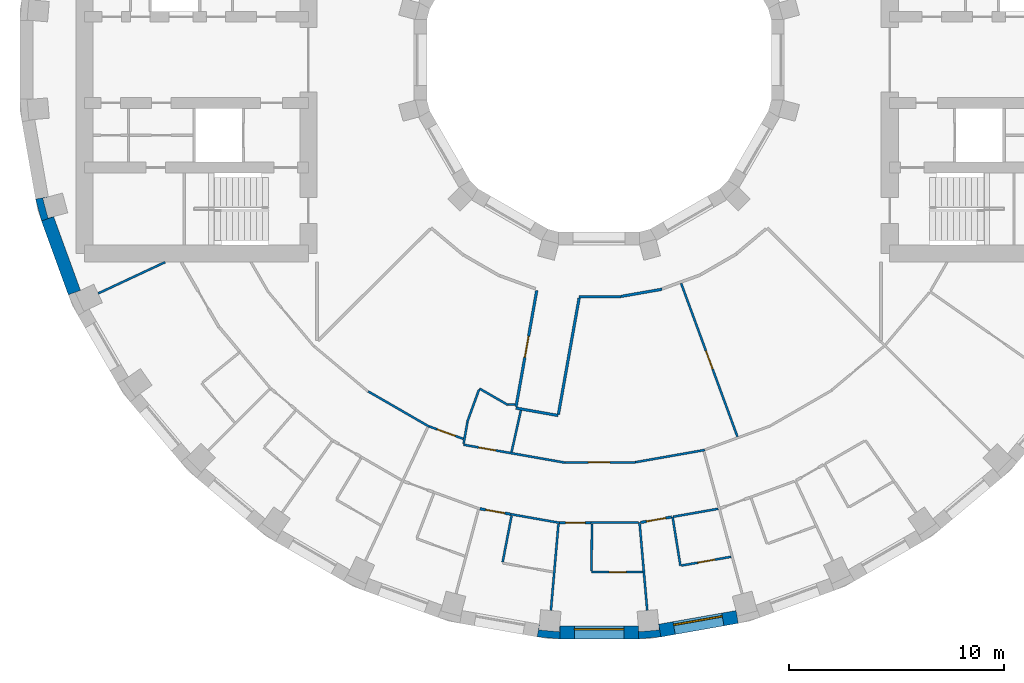
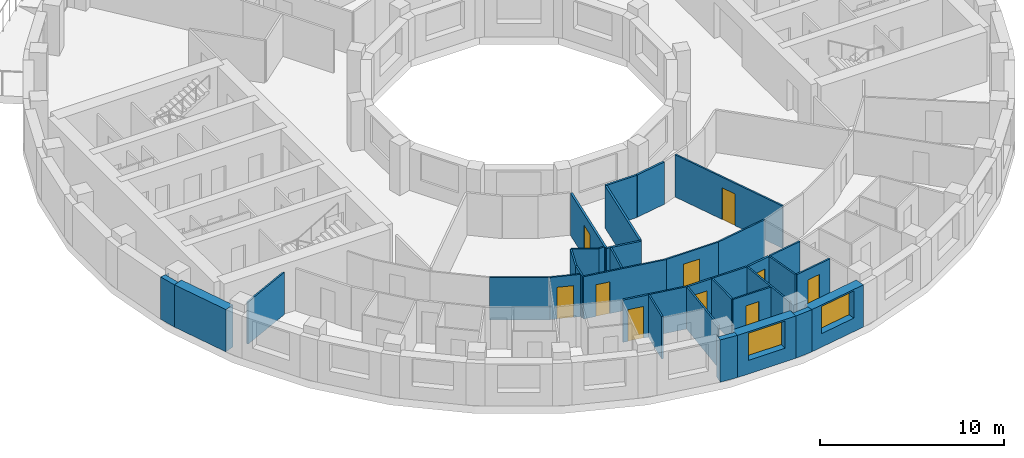
# One storey, part 5 of 14: 36 walls, 10 doors, 2 windows, 12 openings.
"""IFC4 building model written with IfcOpenShell, lengths in metres."""

from ifc_helpers import new_model, si_unit, direction, frame, frame_2d, origin, place, context, subcontext, project, spatial, polyline, rectangle, outline, extrude, material, layer, layer_set, type_object, element, fill, save


model = new_model("IFC4")

# Units and contexts
model_context = context("Model", 3, precision=1e-05, world=origin(), true_north=direction((0.0, 1.0)))
body_context = subcontext(model_context, "Body", "Model", "MODEL_VIEW")
ifc_project = project(units=[si_unit("LENGTHUNIT", "METRE"), si_unit("AREAUNIT", "SQUARE_METRE"), si_unit("VOLUMEUNIT", "CUBIC_METRE"), si_unit("PLANEANGLEUNIT", "RADIAN"), si_unit("MASSUNIT", "GRAM", prefix="KILO")], contexts=[model_context])

# Site, building, storey
site_placement = place(None, origin())
site = spatial("IfcSite", under=ifc_project, at=site_placement, CompositionType="ELEMENT")
building_placement = place(site_placement, origin())
building = spatial("IfcBuilding", under=site, at=building_placement, Name="Saqina Gate Tower", CompositionType="ELEMENT")
storey_placement = place(building_placement, frame((0.0, 0.0, 95.199951171875)))
storey = spatial("IfcBuildingStorey", under=building, at=storey_placement, Name="L26", CompositionType="ELEMENT", Elevation=95.199951171875)

# Walls
ifc_material_1 = material(Name="Brick masonry (buff)", Category="masonry")
wall_type_1 = type_object("IfcWallType", Name="BRICK PIER COPING BUFF", PredefinedType="SOLIDWALL", material=ifc_material_1)
wall_1_placement = place(storey_placement, origin())
element("IfcWall", 1, at=wall_1_placement, inside=storey, type_object=wall_type_1, Name="Pier cap L26 column 20", PredefinedType="SOLIDWALL", context=body_context, shape_type="SweptSolid", body=[
    extrude(outline(polyline([(-26.171875, -6.466796875), (-25.89892578125, -7.485595703125), (-25.335205078125, -7.2802734375), (-25.5947265625, -7.349853515625), (-25.8408203125, -6.43212890625), (-25.5810546875, -6.36279296875), (-26.171875, -6.466796875)])), origin(), (0.0, 0.0, 1.0), 2.800048828125),
])
wall_2_placement = place(storey_placement, origin())
element("IfcWall", 2, at=wall_2_placement, inside=storey, type_object=wall_type_1, Name="Pier cap L26 column 27", PredefinedType="SOLIDWALL", context=body_context, shape_type="SweptSolid", body=[
    extrude(outline(polyline([(-2.87451171875, -26.805419921875), (-1.823974609375, -26.897216796875), (-1.823974609375, -26.29736328125), (-1.847412109375, -26.565185546875), (-2.793701171875, -26.482421875), (-2.770263671875, -26.214599609375), (-2.87451171875, -26.805419921875)])), origin(), (0.0, 0.0, 1.0), 2.800048828125),
])
wall_3_placement = place(storey_placement, origin())
element("IfcWall", 3, at=wall_3_placement, inside=storey, type_object=wall_type_1, Name="Pier cap L26 column 28", PredefinedType="SOLIDWALL", context=body_context, shape_type="SweptSolid", body=[
    extrude(outline(polyline([(2.87451171875, -26.805419921875), (2.770263671875, -26.214599609375), (2.793701171875, -26.482421875), (1.847412109375, -26.565185546875), (1.823974609375, -26.29736328125), (1.823974609375, -26.897216796875), (2.87451171875, -26.805419921875)])), origin(), (0.0, 0.0, 1.0), 2.800048828125),
])

# Wall, opening, window
ifc_material_2 = material(Name="Brick masonry (buff)", Category="masonry")
ifc_layer_1 = layer(ifc_material_2, 0.60009765625)
ifc_layer_set_1 = layer_set([ifc_layer_1], Name="FW-BRICK-BUFF")
wall_type_2 = type_object("IfcWallType", Name="FW-BRICK-BUFF", PredefinedType="SOLIDWALL", material=ifc_layer_set_1)
wall_4_placement = place(storey_placement, frame((-1.823974609375, -26.59716796875, 0.0), z_axis=(0.0, 0.0, 1.0), x_axis=(1.0, 0.0, 0.0)))
wall_4 = element("IfcWall", 4, at=wall_4_placement, inside=storey, type_object=wall_type_2, Name="Facade wall L26 facet 27", PredefinedType="SOLIDWALL", context=body_context, shape_type="SweptSolid", body=[
    extrude(rectangle(XDim=3.64794921875, YDim=0.60009765625, at=frame_2d((1.823974609375, 0.0))), origin(), (0.0, 0.0, 1.0), 2.800048828125),
])
opening_1_placement = place(wall_4_placement, frame((0.673828125, 0.0, 0.89990234375)))
opening_1 = element("IfcOpeningElement", 5, at=opening_1_placement, cuts=wall_4, Name="Opening G07-W16", PredefinedType="OPENING", context=body_context, shape_type="SweptSolid", body=[
    extrude(rectangle(XDim=2.300048828125, YDim=1.800048828125, at=frame_2d((1.14990234375, 0.89990234375))), frame((0.0, 0.31201171875, 0.0), z_axis=(0.0, -1.0, 0.0), x_axis=(1.0, 0.0, 0.0)), (0.0, 0.0, 1.0), 0.6240234375),
])
ifc_material_3 = material(Name="Aluminium glazing", Category="aluminium")
window_type = type_object("IfcWindowType", Name="WN-B", PartitioningType="SINGLE_PANEL", PredefinedType="WINDOW", material=ifc_material_3)
window_1_placement = place(opening_1_placement, origin())
window_1 = element("IfcWindow", 6, at=window_1_placement, inside=storey, type_object=window_type, Name="Window L26 facet 27", OverallHeight=1.800048828125, OverallWidth=2.300048828125, PartitioningType="SINGLE_PANEL", PredefinedType="WINDOW", context=body_context, shape_type="SweptSolid", body=[
    extrude(rectangle(XDim=2.300048828125, YDim=1.800048828125, at=frame_2d((1.14990234375, 0.89990234375))), frame((0.0, 0.179931640625, 0.0), z_axis=(0.0, -1.0, 0.0), x_axis=(1.0, 0.0, 0.0)), (0.0, 0.0, 1.0), 0.06005859375),
])
fill(opening_1, window_1)

wall_5_placement = place(storey_placement, frame((2.822265625, -26.510009765625, 0.0), z_axis=(0.0, 0.0, 1.0), x_axis=(0.984803764455, 0.173670796382, 0.0)))
wall_5 = element("IfcWall", 7, at=wall_5_placement, inside=storey, type_object=wall_type_2, Name="Facade wall L26 facet 28", PredefinedType="SOLIDWALL", context=body_context, shape_type="SweptSolid", body=[
    extrude(rectangle(XDim=3.64794921875, YDim=0.60009765625, at=frame_2d((1.823974609375, 0.0))), origin(), (0.0, 0.0, 1.0), 2.800048828125),
])
opening_2_placement = place(wall_5_placement, frame((0.673828125, 0.0, 0.89990234375)))
opening_2 = element("IfcOpeningElement", 8, at=opening_2_placement, cuts=wall_5, Name="Opening G07-W17", PredefinedType="OPENING", context=body_context, shape_type="SweptSolid", body=[
    extrude(rectangle(XDim=2.300048828125, YDim=1.800048828125, at=frame_2d((1.14990234375, 0.89990234375))), frame((0.0, 0.31201171875, 0.0), z_axis=(0.0, -1.0, 0.0), x_axis=(1.0, 0.0, 0.0)), (0.0, 0.0, 1.0), 0.6240234375),
])
window_2_placement = place(opening_2_placement, origin())
window_2 = element("IfcWindow", 9, at=window_2_placement, inside=storey, type_object=window_type, Name="Window L26 facet 28", OverallHeight=1.800048828125, OverallWidth=2.300048828125, PartitioningType="SINGLE_PANEL", PredefinedType="WINDOW", context=body_context, shape_type="SweptSolid", body=[
    extrude(rectangle(XDim=2.300048828125, YDim=1.800048828125, at=frame_2d((1.14990234375, 0.89990234375))), frame((0.0, 0.179931640625, 0.0), z_axis=(0.0, -1.0, 0.0), x_axis=(1.0, 0.0, 0.0)), (0.0, 0.0, 1.0), 0.06005859375),
])
fill(opening_2, window_2)

# Walls
ifc_material_4 = material(Name="Glazed ceramic tile (dark blue)", Category="ceramic")
ifc_layer_2 = layer(ifc_material_4, 0.60009765625)
ifc_layer_set_2 = layer_set([ifc_layer_2], Name="FW-TILE-CB")
wall_type_3 = type_object("IfcWallType", Name="FW-TILE-CB", PredefinedType="SOLIDWALL", material=ifc_layer_set_2)
wall_6_placement = place(storey_placement, frame((-25.616943359375, -7.3828125, 0.0), z_axis=(0.0, 0.0, 1.0), x_axis=(0.341990236633, -0.939703505393, 0.0)))
element("IfcWall", 10, at=wall_6_placement, inside=storey, type_object=wall_type_3, Name="Facade wall L26 facet 20", PredefinedType="SOLIDWALL", context=body_context, shape_type="SweptSolid", body=[
    extrude(rectangle(XDim=3.64794921875, YDim=0.60009765625, at=frame_2d((1.823974609375, 0.0))), origin(), (0.0, 0.0, 1.0), 2.800048828125),
])
ifc_material_5 = material(Name="Gypsum board on steel studs, 100 mm", Category="steel")
ifc_layer_3 = layer(ifc_material_5, 0.10009765625)
ifc_layer_set_3 = layer_set([ifc_layer_3], Name="PARTITION 100")
wall_type_4 = type_object("IfcWallType", Name="PARTITION 100", PredefinedType="PARTITIONING", material=ifc_layer_set_3)
wall_7_placement = place(storey_placement, frame((1.881103515625, -21.4970703125, 0.0), z_axis=(0.0, 0.0, 1.0), x_axis=(0.087060211484, -0.996203051379, 0.0)))
element("IfcWall", 11, at=wall_7_placement, inside=storey, type_object=wall_type_4, Name="PARTITION PW3-02", PredefinedType="PARTITIONING", context=body_context, shape_type="SweptSolid", body=[
    extrude(rectangle(XDim=4.0859375, YDim=0.10009765625, at=frame_2d((2.04296875, 0.0))), origin(), (0.0, 0.0, 1.0), 2.800048828125),
])
wall_8_placement = place(storey_placement, frame((3.4140625, -21.22705078125, 0.0), z_axis=(0.0, 0.0, 1.0), x_axis=(0.15868179071, -0.987329777378, 0.0)))
element("IfcWall", 12, at=wall_8_placement, inside=storey, type_object=wall_type_4, Name="PARTITION PW3-03", PredefinedType="PARTITIONING", context=body_context, shape_type="SweptSolid", body=[
    extrude(rectangle(XDim=2.300048828125, YDim=0.10009765625, at=frame_2d((1.14990234375, 0.0))), origin(), (0.0, 0.0, 1.0), 2.800048828125),
])

# Wall, opening, door
wall_9_placement = place(storey_placement, frame((3.813232421875, -10.384521484375, 0.0), z_axis=(0.0, 0.0, 1.0), x_axis=(0.344746287393, -0.938695902478, 0.0)))
wall_9 = element("IfcWall", 13, at=wall_9_placement, inside=storey, type_object=wall_type_4, Name="PARTITION PW3-07", PredefinedType="PARTITIONING", context=body_context, shape_type="SweptSolid", body=[
    extrude(rectangle(XDim=7.586669921875, YDim=0.10009765625, at=frame_2d((3.79345703125, 0.0))), origin(), (0.0, 0.0, 1.0), 2.800048828125),
])
opening_3_placement = place(wall_9_placement, frame((3.336181640625, 0.0, 0.0)))
opening_3 = element("IfcOpeningElement", 14, at=opening_3_placement, cuts=wall_9, Name="Opening G07-D44", PredefinedType="OPENING", context=body_context, shape_type="SweptSolid", body=[
    extrude(rectangle(XDim=0.89990234375, YDim=2.10009765625, at=frame_2d((0.449951171875, 1.050048828125))), frame((0.0, 0.06201171875, 0.0), z_axis=(0.0, -1.0, 0.0), x_axis=(1.0, 0.0, 0.0)), (0.0, 0.0, 1.0), 0.1240234375),
])
ifc_material_6 = material(Name="Timber door leaf, 900 mm", Category="wood")
door_type_1 = type_object("IfcDoorType", Name="DOOR 900 TIMBER", OperationType="SINGLE_SWING_LEFT", PredefinedType="DOOR", material=ifc_material_6)
door_1_placement = place(opening_3_placement, origin())
door_1 = element("IfcDoor", 15, at=door_1_placement, inside=storey, type_object=door_type_1, Name="DOOR G07-D44", OperationType="SINGLE_SWING_LEFT", OverallHeight=2.10009765625, OverallWidth=0.89990234375, PredefinedType="DOOR", context=body_context, shape_type="SweptSolid", body=[
    extrude(rectangle(XDim=0.89990234375, YDim=2.10009765625, at=frame_2d((0.449951171875, 1.050048828125))), frame((0.0, 0.02490234375, 0.0), z_axis=(0.0, -1.0, 0.0), x_axis=(1.0, 0.0, 0.0)), (0.0, 0.0, 1.0), 0.050048828125),
])
fill(opening_3, door_1)

# Walls
wall_10_placement = place(storey_placement, frame((-10.72265625, -15.401123046875, 0.0), z_axis=(0.0, 0.0, 1.0), x_axis=(0.866002935623, -0.500038913978, 0.0)))
element("IfcWall", 16, at=wall_10_placement, inside=storey, type_object=wall_type_4, Name="PARTITION PW3-32", PredefinedType="PARTITIONING", context=body_context, shape_type="SweptSolid", body=[
    extrude(rectangle(XDim=3.272216796875, YDim=0.10009765625, at=frame_2d((1.63623046875, 0.0))), origin(), (0.0, 0.0, 1.0), 2.800048828125),
])
wall_11_placement = place(storey_placement, frame((-5.556884765625, -15.26708984375, 0.0), z_axis=(0.0, 0.0, 1.0), x_axis=(0.866084140742, -0.499898250802, 0.0)))
element("IfcWall", 17, at=wall_11_placement, inside=storey, type_object=wall_type_4, Name="PARTITION PW3-33", PredefinedType="PARTITIONING", context=body_context, shape_type="SweptSolid", body=[
    extrude(rectangle(XDim=1.522705078125, YDim=0.10009765625, at=frame_2d((0.76123046875, 0.0))), origin(), (0.0, 0.0, 1.0), 2.800048828125),
])

# Wall, opening, door
wall_12_placement = place(storey_placement, frame((-7.885986328125, -17.029052734375, 0.0), z_axis=(0.0, 0.0, 1.0), x_axis=(0.939806110693, -0.341708171258, 0.0)))
wall_12 = element("IfcWall", 18, at=wall_12_placement, inside=storey, type_object=wall_type_4, Name="PARTITION PW3-38", PredefinedType="PARTITIONING", context=body_context, shape_type="SweptSolid", body=[
    extrude(rectangle(XDim=1.685546875, YDim=0.10009765625, at=frame_2d((0.8427734375, 0.0))), origin(), (0.0, 0.0, 1.0), 2.800048828125),
])
opening_4_placement = place(wall_12_placement, frame((0.392578125, 0.0, 0.0)))
opening_4 = element("IfcOpeningElement", 19, at=opening_4_placement, cuts=wall_12, Name="Opening G07-D32", PredefinedType="OPENING", context=body_context, shape_type="SweptSolid", body=[
    extrude(rectangle(XDim=0.89990234375, YDim=2.10009765625, at=frame_2d((0.449951171875, 1.050048828125))), frame((0.0, 0.06201171875, 0.0), z_axis=(0.0, -1.0, 0.0), x_axis=(1.0, 0.0, 0.0)), (0.0, 0.0, 1.0), 0.1240234375),
])
door_2_placement = place(opening_4_placement, origin())
door_2 = element("IfcDoor", 20, at=door_2_placement, inside=storey, type_object=door_type_1, Name="DOOR G07-D32", OperationType="SINGLE_SWING_RIGHT", OverallHeight=2.10009765625, OverallWidth=0.89990234375, PredefinedType="DOOR", context=body_context, shape_type="SweptSolid", body=[
    extrude(rectangle(XDim=0.89990234375, YDim=2.10009765625, at=frame_2d((0.449951171875, 1.050048828125))), frame((0.0, 0.02490234375, 0.0), z_axis=(0.0, -1.0, 0.0), x_axis=(1.0, 0.0, 0.0)), (0.0, 0.0, 1.0), 0.050048828125),
])
fill(opening_4, door_2)

# Wall
wall_13_placement = place(storey_placement, frame((-4.101318359375, -21.105224609375, 0.0), z_axis=(0.0, 0.0, 1.0), x_axis=(0.984783558818, -0.173785333909, 0.0)))
element("IfcWall", 21, at=wall_13_placement, inside=storey, type_object=wall_type_4, Name="PARTITION PW3-45", PredefinedType="PARTITIONING", context=body_context, shape_type="SweptSolid", body=[
    extrude(rectangle(XDim=2.305419921875, YDim=0.10009765625, at=frame_2d((1.15283203125, 0.0))), origin(), (0.0, 0.0, 1.0), 2.800048828125),
])

# Wall, opening, door
wall_14_placement = place(storey_placement, frame((-6.300048828125, -17.8779296875, 0.0), z_axis=(0.0, 0.0, 1.0), x_axis=(0.984813837489, -0.173613667348, 0.0)))
wall_14 = element("IfcWall", 22, at=wall_14_placement, inside=storey, type_object=wall_type_4, Name="PARTITION PW3-46", PredefinedType="PARTITIONING", context=body_context, shape_type="SweptSolid", body=[
    extrude(rectangle(XDim=4.786865234375, YDim=0.10009765625, at=frame_2d((2.3935546875, 0.0))), origin(), (0.0, 0.0, 1.0), 2.800048828125),
])
opening_5_placement = place(wall_14_placement, frame((0.72900390625, 0.0, 0.0)))
opening_5 = element("IfcOpeningElement", 23, at=opening_5_placement, cuts=wall_14, Name="Opening G07-D34", PredefinedType="OPENING", context=body_context, shape_type="SweptSolid", body=[
    extrude(rectangle(XDim=0.800048828125, YDim=2.10009765625, at=frame_2d((0.39990234375, 1.050048828125))), frame((0.0, 0.06201171875, 0.0), z_axis=(0.0, -1.0, 0.0), x_axis=(1.0, 0.0, 0.0)), (0.0, 0.0, 1.0), 0.1240234375),
])
ifc_material_7 = material(Name="Timber door leaf, 800 mm", Category="wood")
door_type_2 = type_object("IfcDoorType", Name="DOOR 800 TIMBER", OperationType="SINGLE_SWING_LEFT", PredefinedType="DOOR", material=ifc_material_7)
door_3_placement = place(opening_5_placement, frame((0.800048828125, 0.0, 0.0), z_axis=(0.0, 0.0, 1.0), x_axis=(-1.0, 0.0, 0.0)))
door_3 = element("IfcDoor", 24, at=door_3_placement, inside=storey, type_object=door_type_2, Name="DOOR G07-D34", OperationType="SINGLE_SWING_RIGHT", OverallHeight=2.10009765625, OverallWidth=0.800048828125, PredefinedType="DOOR", context=body_context, shape_type="SweptSolid", body=[
    extrude(rectangle(XDim=0.800048828125, YDim=2.10009765625, at=frame_2d((0.39990234375, 1.050048828125))), frame((0.0, 0.02490234375, 0.0), z_axis=(0.0, -1.0, 0.0), x_axis=(1.0, 0.0, 0.0)), (0.0, 0.0, 1.0), 0.050048828125),
])
fill(opening_5, door_3)

wall_15_placement = place(storey_placement, frame((-0.35888671875, -23.797119140625, 0.0), z_axis=(0.0, 0.0, 1.0), x_axis=(1.0, 0.0, 0.0)))
wall_15 = element("IfcWall", 25, at=wall_15_placement, inside=storey, type_object=wall_type_4, Name="PARTITION PW3-50", PredefinedType="PARTITIONING", context=body_context, shape_type="SweptSolid", body=[
    extrude(rectangle(XDim=2.390869140625, YDim=0.10009765625, at=frame_2d((1.1953125, 0.0))), origin(), (0.0, 0.0, 1.0), 2.800048828125),
])
opening_6_placement = place(wall_15_placement, frame((0.820556640625, 0.0, 0.0)))
opening_6 = element("IfcOpeningElement", 26, at=opening_6_placement, cuts=wall_15, Name="Opening G07-D40", PredefinedType="OPENING", context=body_context, shape_type="SweptSolid", body=[
    extrude(rectangle(XDim=0.800048828125, YDim=2.10009765625, at=frame_2d((0.39990234375, 1.050048828125))), frame((0.0, 0.06201171875, 0.0), z_axis=(0.0, -1.0, 0.0), x_axis=(1.0, 0.0, 0.0)), (0.0, 0.0, 1.0), 0.1240234375),
])
door_4_placement = place(opening_6_placement, frame((0.800048828125, 0.0, 0.0), z_axis=(0.0, 0.0, 1.0), x_axis=(-1.0, 0.0, 0.0)))
door_4 = element("IfcDoor", 27, at=door_4_placement, inside=storey, type_object=door_type_2, Name="DOOR G07-D40", OperationType="SINGLE_SWING_LEFT", OverallHeight=2.10009765625, OverallWidth=0.800048828125, PredefinedType="DOOR", context=body_context, shape_type="SweptSolid", body=[
    extrude(rectangle(XDim=0.800048828125, YDim=2.10009765625, at=frame_2d((0.39990234375, 1.050048828125))), frame((0.0, 0.02490234375, 0.0), z_axis=(0.0, -1.0, 0.0), x_axis=(1.0, 0.0, 0.0)), (0.0, 0.0, 1.0), 0.050048828125),
])
fill(opening_6, door_4)

# Wall
wall_16_placement = place(storey_placement, frame((-0.3740234375, -21.4970703125, 0.0), z_axis=(0.0, 0.0, 1.0), x_axis=(1.0, 0.0, 0.0)))
element("IfcWall", 28, at=wall_16_placement, inside=storey, type_object=wall_type_4, Name="PARTITION PW3-51", PredefinedType="PARTITIONING", context=body_context, shape_type="SweptSolid", body=[
    extrude(rectangle(XDim=2.205078125, YDim=0.10009765625, at=frame_2d((1.1025390625, 0.0))), origin(), (0.0, 0.0, 1.0), 2.800048828125),
])

# Wall, opening, door
wall_17_placement = place(storey_placement, frame((-1.5859375, -18.698974609375, 0.0), z_axis=(0.0, 0.0, 1.0), x_axis=(1.0, 0.0, 0.0)))
wall_17 = element("IfcWall", 29, at=wall_17_placement, inside=storey, type_object=wall_type_4, Name="PARTITION PW3-52", PredefinedType="PARTITIONING", context=body_context, shape_type="SweptSolid", body=[
    extrude(rectangle(XDim=3.272705078125, YDim=0.10009765625, at=frame_2d((1.63623046875, 0.0))), origin(), (0.0, 0.0, 1.0), 2.800048828125),
])
opening_7_placement = place(wall_17_placement, frame((1.0859375, 0.0, 0.0)))
opening_7 = element("IfcOpeningElement", 30, at=opening_7_placement, cuts=wall_17, Name="Opening G07-D39", PredefinedType="OPENING", context=body_context, shape_type="SweptSolid", body=[
    extrude(rectangle(XDim=1.0, YDim=2.10009765625, at=frame_2d((0.5, 1.050048828125))), frame((0.0, 0.06201171875, 0.0), z_axis=(0.0, -1.0, 0.0), x_axis=(1.0, 0.0, 0.0)), (0.0, 0.0, 1.0), 0.1240234375),
])
ifc_material_8 = material(Name="Timber door leaf, 1000 mm", Category="wood")
door_type_3 = type_object("IfcDoorType", Name="DOOR 1000 TIMBER", OperationType="SINGLE_SWING_LEFT", PredefinedType="DOOR", material=ifc_material_8)
door_5_placement = place(opening_7_placement, origin())
door_5 = element("IfcDoor", 31, at=door_5_placement, inside=storey, type_object=door_type_3, Name="DOOR G07-D39", OperationType="SINGLE_SWING_LEFT", OverallHeight=2.10009765625, OverallWidth=1.0, PredefinedType="DOOR", context=body_context, shape_type="SweptSolid", body=[
    extrude(rectangle(XDim=1.0, YDim=2.10009765625, at=frame_2d((0.5, 1.050048828125))), frame((0.0, 0.02490234375, 0.0), z_axis=(0.0, -1.0, 0.0), x_axis=(1.0, 0.0, 0.0)), (0.0, 0.0, 1.0), 0.050048828125),
])
fill(opening_7, door_5)

# Wall
wall_18_placement = place(storey_placement, frame((-4.238037109375, -16.001953125, 0.0), z_axis=(0.0, 0.0, 1.0), x_axis=(1.0, 0.0, 0.0)))
element("IfcWall", 32, at=wall_18_placement, inside=storey, type_object=wall_type_4, Name="PARTITION PW3-53", PredefinedType="PARTITIONING", context=body_context, shape_type="SweptSolid", body=[
    extrude(rectangle(XDim=0.339111328125, YDim=0.10009765625, at=frame_2d((0.16943359375, 0.0))), origin(), (0.0, 0.0, 1.0), 2.800048828125),
])

# Wall, opening, door
wall_19_placement = place(storey_placement, frame((3.828125, -23.4892578125, 0.0), z_axis=(0.0, 0.0, 1.0), x_axis=(0.984811890041, 0.173624713778, 0.0)))
wall_19 = element("IfcWall", 33, at=wall_19_placement, inside=storey, type_object=wall_type_4, Name="PARTITION PW3-58", PredefinedType="PARTITIONING", context=body_context, shape_type="SweptSolid", body=[
    extrude(rectangle(XDim=2.34130859375, YDim=0.10009765625, at=frame_2d((1.170654296875, 0.0))), origin(), (0.0, 0.0, 1.0), 2.800048828125),
])
opening_8_placement = place(wall_19_placement, frame((0.7705078125, 0.0, 0.0)))
opening_8 = element("IfcOpeningElement", 34, at=opening_8_placement, cuts=wall_19, Name="Opening G07-D42", PredefinedType="OPENING", context=body_context, shape_type="SweptSolid", body=[
    extrude(rectangle(XDim=0.800048828125, YDim=2.10009765625, at=frame_2d((0.39990234375, 1.050048828125))), frame((0.0, 0.06201171875, 0.0), z_axis=(0.0, -1.0, 0.0), x_axis=(1.0, 0.0, 0.0)), (0.0, 0.0, 1.0), 0.1240234375),
])
door_6_placement = place(opening_8_placement, frame((0.800048828125, 0.0, 0.0), z_axis=(0.0, 0.0, 1.0), x_axis=(-1.0, 0.0, 0.0)))
door_6 = element("IfcDoor", 35, at=door_6_placement, inside=storey, type_object=door_type_2, Name="DOOR G07-D42", OperationType="SINGLE_SWING_LEFT", OverallHeight=2.10009765625, OverallWidth=0.800048828125, PredefinedType="DOOR", context=body_context, shape_type="SweptSolid", body=[
    extrude(rectangle(XDim=0.800048828125, YDim=2.10009765625, at=frame_2d((0.39990234375, 1.050048828125))), frame((0.0, 0.02490234375, 0.0), z_axis=(0.0, -1.0, 0.0), x_axis=(1.0, 0.0, 0.0)), (0.0, 0.0, 1.0), 0.050048828125),
])
fill(opening_8, door_6)

# Walls
wall_20_placement = place(storey_placement, frame((3.4462890625, -21.221435546875, 0.0), z_axis=(0.0, 0.0, 1.0), x_axis=(0.984788192249, 0.173759075753, 0.0)))
element("IfcWall", 36, at=wall_20_placement, inside=storey, type_object=wall_type_4, Name="PARTITION PW3-59", PredefinedType="PARTITIONING", context=body_context, shape_type="SweptSolid", body=[
    extrude(rectangle(XDim=2.12158203125, YDim=0.10009765625, at=frame_2d((1.060791015625, 0.0))), origin(), (0.0, 0.0, 1.0), 2.800048828125),
])
wall_21_placement = place(storey_placement, frame((1.685302734375, -18.6904296875, 0.0), z_axis=(0.0, 0.0, 1.0), x_axis=(0.984801579175, 0.1736831876, 0.0)))
element("IfcWall", 37, at=wall_21_placement, inside=storey, type_object=wall_type_4, Name="PARTITION PW3-60", PredefinedType="PARTITIONING", context=body_context, shape_type="SweptSolid", body=[
    extrude(rectangle(XDim=3.2724609375, YDim=0.10009765625, at=frame_2d((1.63623046875, 0.0))), origin(), (0.0, 0.0, 1.0), 2.800048828125),
])
wall_22_placement = place(storey_placement, frame((-23.260009765625, -10.84716796875, 0.0), z_axis=(0.0, 0.0, 1.0), x_axis=(0.906121146584, 0.423018282954, 0.0)))
element("IfcWall", 38, at=wall_22_placement, inside=storey, type_object=wall_type_4, Name="PARTITION PW3-70", PredefinedType="PARTITIONING", context=body_context, shape_type="SweptSolid", body=[
    extrude(rectangle(XDim=3.42138671875, YDim=0.10009765625, at=frame_2d((1.710693359375, 0.0))), origin(), (0.0, 0.0, 1.0), 2.800048828125),
])
wall_23_placement = place(storey_placement, frame((-6.123291015625, -16.82275390625, 0.0), z_axis=(0.0, 0.0, 1.0), x_axis=(0.342085762609, 0.939668734725, 0.0)))
element("IfcWall", 39, at=wall_23_placement, inside=storey, type_object=wall_type_4, Name="PARTITION PW3-94", PredefinedType="PARTITIONING", context=body_context, shape_type="SweptSolid", body=[
    extrude(rectangle(XDim=1.6015625, YDim=0.10009765625, at=frame_2d((0.80078125, 0.0))), origin(), (0.0, 0.0, 1.0), 2.800048828125),
])
wall_24_placement = place(storey_placement, frame((-4.065185546875, -18.22021484375, 0.0), z_axis=(0.0, 0.0, 1.0), x_axis=(0.218112956179, 0.975923530994, 0.0)))
element("IfcWall", 40, at=wall_24_placement, inside=storey, type_object=wall_type_4, Name="PARTITION PW3-97", PredefinedType="PARTITIONING", context=body_context, shape_type="SweptSolid", body=[
    extrude(rectangle(XDim=1.989013671875, YDim=0.10009765625, at=frame_2d((0.99462890625, 0.0))), origin(), (0.0, 0.0, 1.0), 2.800048828125),
])
wall_25_placement = place(storey_placement, frame((-4.4765625, -23.323974609375, 0.0), z_axis=(0.0, 0.0, 1.0), x_axis=(0.188685986474, 0.982037473067, 0.0)))
element("IfcWall", 41, at=wall_25_placement, inside=storey, type_object=wall_type_4, Name="PARTITION PW3-98", PredefinedType="PARTITIONING", context=body_context, shape_type="SweptSolid", body=[
    extrude(rectangle(XDim=2.18798828125, YDim=0.10009765625, at=frame_2d((1.093994140625, 0.0))), origin(), (0.0, 0.0, 1.0), 2.800048828125),
])
wall_26_placement = place(storey_placement, frame((-6.29150390625, -17.82763671875, 0.0), z_axis=(0.0, 0.0, 1.0), x_axis=(0.174455149241, 0.984665121198, 0.0)))
element("IfcWall", 42, at=wall_26_placement, inside=storey, type_object=wall_type_4, Name="PARTITION PW3-100", PredefinedType="PARTITIONING", context=body_context, shape_type="SweptSolid", body=[
    extrude(rectangle(XDim=1.018798828125, YDim=0.10009765625, at=frame_2d((0.50927734375, 0.0))), origin(), (0.0, 0.0, 1.0), 2.800048828125),
])
wall_27_placement = place(storey_placement, frame((-2.23681640625, -25.5673828125, 0.0), z_axis=(0.0, 0.0, 1.0), x_axis=(0.087137593131, 0.996196285811, 0.0)))
element("IfcWall", 43, at=wall_27_placement, inside=storey, type_object=wall_type_4, Name="PARTITION PW3-102", PredefinedType="PARTITIONING", context=body_context, shape_type="SweptSolid", body=[
    extrude(rectangle(XDim=4.0234375, YDim=0.10009765625, at=frame_2d((2.01171875, 0.0))), origin(), (0.0, 0.0, 1.0), 2.800048828125),
])
wall_28_placement = place(storey_placement, frame((-0.358154296875, -23.7470703125, 0.0), z_axis=(0.0, 0.0, 1.0), x_axis=(0.015176823242, 0.999884825386, 0.0)))
element("IfcWall", 44, at=wall_28_placement, inside=storey, type_object=wall_type_4, Name="PARTITION PW3-104", PredefinedType="PARTITIONING", context=body_context, shape_type="SweptSolid", body=[
    extrude(rectangle(XDim=2.187744140625, YDim=0.10009765625, at=frame_2d((1.09375, 0.0))), origin(), (0.0, 0.0, 1.0), 2.800048828125),
])

# Wall, opening, door
ifc_material_9 = material(Name="Gypsum board on steel studs, 125 mm, fire rated", Category="steel")
ifc_layer_4 = layer(ifc_material_9, 0.125)
ifc_layer_set_4 = layer_set([ifc_layer_4], Name="PARTITION EI 30 125")
wall_type_5 = type_object("IfcWallType", Name="PARTITION EI 30 125", PredefinedType="PARTITIONING", material=ifc_layer_set_4)
wall_29_placement = place(storey_placement, frame((-5.53564453125, -20.852783203125, 0.0), z_axis=(0.0, 0.0, 1.0), x_axis=(0.984862774054, -0.173335848233, 0.0)))
wall_29 = element("IfcWall", 45, at=wall_29_placement, inside=storey, type_object=wall_type_5, Name="PARTITION PW1-23", PredefinedType="PARTITIONING", context=body_context, shape_type="SweptSolid", body=[
    extrude(rectangle(XDim=1.456298828125, YDim=0.125, at=frame_2d((0.72802734375, 0.0))), origin(), (0.0, 0.0, 1.0), 2.800048828125),
])
opening_9_placement = place(wall_29_placement, frame((0.2783203125, 0.0, 0.0)))
opening_9 = element("IfcOpeningElement", 46, at=opening_9_placement, cuts=wall_29, Name="Opening G07-D36", PredefinedType="OPENING", context=body_context, shape_type="SweptSolid", body=[
    extrude(rectangle(XDim=0.89990234375, YDim=2.10009765625, at=frame_2d((0.449951171875, 1.050048828125))), frame((0.0, 0.074462890625, 0.0), z_axis=(0.0, -1.0, 0.0), x_axis=(1.0, 0.0, 0.0)), (0.0, 0.0, 1.0), 0.14892578125),
])
ifc_material_10 = material(Name="Fire door leaf EI 30, 900 mm")
door_type_4 = type_object("IfcDoorType", Name="DOOR 900 EI 30", OperationType="SINGLE_SWING_LEFT", PredefinedType="DOOR", material=ifc_material_10)
door_7_placement = place(opening_9_placement, origin())
door_7 = element("IfcDoor", 47, at=door_7_placement, inside=storey, type_object=door_type_4, Name="DOOR G07-D36", OperationType="SINGLE_SWING_LEFT", OverallHeight=2.10009765625, OverallWidth=0.89990234375, PredefinedType="DOOR", context=body_context, shape_type="SweptSolid", body=[
    extrude(rectangle(XDim=0.89990234375, YDim=2.10009765625, at=frame_2d((0.449951171875, 1.050048828125))), frame((0.0, 0.02490234375, 0.0), z_axis=(0.0, -1.0, 0.0), x_axis=(1.0, 0.0, 0.0)), (0.0, 0.0, 1.0), 0.050048828125),
])
fill(opening_9, door_7)

# Wall
wall_30_placement = place(storey_placement, frame((-3.866943359375, -16.174072265625, 0.0), z_axis=(0.0, 0.0, 1.0), x_axis=(0.984836400178, -0.173485633079, 0.0)))
element("IfcWall", 48, at=wall_30_placement, inside=storey, type_object=wall_type_5, Name="PARTITION PW1-24", PredefinedType="PARTITIONING", context=body_context, shape_type="SweptSolid", body=[
    extrude(rectangle(XDim=1.998291015625, YDim=0.125, at=frame_2d((0.9990234375, 0.0))), origin(), (0.0, 0.0, 1.0), 2.800048828125),
])

# Wall, opening, door
wall_31_placement = place(storey_placement, frame((-1.8310546875, -21.4970703125, 0.0), z_axis=(0.0, 0.0, 1.0), x_axis=(1.0, 0.0, 0.0)))
wall_31 = element("IfcWall", 49, at=wall_31_placement, inside=storey, type_object=wall_type_5, Name="PARTITION PW1-27", PredefinedType="PARTITIONING", context=body_context, shape_type="SweptSolid", body=[
    extrude(rectangle(XDim=1.45703125, YDim=0.125, at=frame_2d((0.728515625, 0.0))), origin(), (0.0, 0.0, 1.0), 2.800048828125),
])
opening_10_placement = place(wall_31_placement, frame((0.278564453125, 0.0, 0.0)))
opening_10 = element("IfcOpeningElement", 50, at=opening_10_placement, cuts=wall_31, Name="Opening G07-D38", PredefinedType="OPENING", context=body_context, shape_type="SweptSolid", body=[
    extrude(rectangle(XDim=0.89990234375, YDim=2.10009765625, at=frame_2d((0.449951171875, 1.050048828125))), frame((0.0, 0.074462890625, 0.0), z_axis=(0.0, -1.0, 0.0), x_axis=(1.0, 0.0, 0.0)), (0.0, 0.0, 1.0), 0.14892578125),
])
door_8_placement = place(opening_10_placement, origin())
door_8 = element("IfcDoor", 51, at=door_8_placement, inside=storey, type_object=door_type_4, Name="DOOR G07-D38", OperationType="SINGLE_SWING_LEFT", OverallHeight=2.10009765625, OverallWidth=0.89990234375, PredefinedType="DOOR", context=body_context, shape_type="SweptSolid", body=[
    extrude(rectangle(XDim=0.89990234375, YDim=2.10009765625, at=frame_2d((0.449951171875, 1.050048828125))), frame((0.0, 0.02490234375, 0.0), z_axis=(0.0, -1.0, 0.0), x_axis=(1.0, 0.0, 0.0)), (0.0, 0.0, 1.0), 0.050048828125),
])
fill(opening_10, door_8)

# Wall
wall_32_placement = place(storey_placement, frame((-0.924072265625, -11.0, 0.0), z_axis=(0.0, 0.0, 1.0), x_axis=(1.0, 0.0, 0.0)))
element("IfcWall", 52, at=wall_32_placement, inside=storey, type_object=wall_type_5, Name="PARTITION PW1-28", PredefinedType="PARTITIONING", context=body_context, shape_type="SweptSolid", body=[
    extrude(rectangle(XDim=1.949462890625, YDim=0.125, at=frame_2d((0.974609375, 0.0))), origin(), (0.0, 0.0, 1.0), 2.800048828125),
])

# Wall, opening, door
wall_33_placement = place(storey_placement, frame((1.93017578125, -21.48828125, 0.0), z_axis=(0.0, 0.0, 1.0), x_axis=(0.984839188687, 0.173469802636, 0.0)))
wall_33 = element("IfcWall", 53, at=wall_33_placement, inside=storey, type_object=wall_type_5, Name="PARTITION PW1-31", PredefinedType="PARTITIONING", context=body_context, shape_type="SweptSolid", body=[
    extrude(rectangle(XDim=1.45654296875, YDim=0.125, at=frame_2d((0.728271484375, 0.0))), origin(), (0.0, 0.0, 1.0), 2.800048828125),
])
opening_11_placement = place(wall_33_placement, frame((0.2783203125, 0.0, 0.0)))
opening_11 = element("IfcOpeningElement", 54, at=opening_11_placement, cuts=wall_33, Name="Opening G07-D41", PredefinedType="OPENING", context=body_context, shape_type="SweptSolid", body=[
    extrude(rectangle(XDim=0.89990234375, YDim=2.10009765625, at=frame_2d((0.449951171875, 1.050048828125))), frame((0.0, 0.074462890625, 0.0), z_axis=(0.0, -1.0, 0.0), x_axis=(1.0, 0.0, 0.0)), (0.0, 0.0, 1.0), 0.14892578125),
])
door_9_placement = place(opening_11_placement, origin())
door_9 = element("IfcDoor", 55, at=door_9_placement, inside=storey, type_object=door_type_4, Name="DOOR G07-D41", OperationType="SINGLE_SWING_LEFT", OverallHeight=2.10009765625, OverallWidth=0.89990234375, PredefinedType="DOOR", context=body_context, shape_type="SweptSolid", body=[
    extrude(rectangle(XDim=0.89990234375, YDim=2.10009765625, at=frame_2d((0.449951171875, 1.050048828125))), frame((0.0, 0.02490234375, 0.0), z_axis=(0.0, -1.0, 0.0), x_axis=(1.0, 0.0, 0.0)), (0.0, 0.0, 1.0), 0.050048828125),
])
fill(opening_11, door_9)

# Walls
wall_34_placement = place(storey_placement, frame((1.0234375, -10.9892578125, 0.0), z_axis=(0.0, 0.0, 1.0), x_axis=(0.98482691703, 0.173539458027, 0.0)))
element("IfcWall", 56, at=wall_34_placement, inside=storey, type_object=wall_type_5, Name="PARTITION PW1-32", PredefinedType="PARTITIONING", context=body_context, shape_type="SweptSolid", body=[
    extrude(rectangle(XDim=1.926025390625, YDim=0.125, at=frame_2d((0.962890625, 0.0))), origin(), (0.0, 0.0, 1.0), 2.800048828125),
])
wall_35_placement = place(storey_placement, frame((-1.887451171875, -16.45947265625, 0.0), z_axis=(0.0, 0.0, 1.0), x_axis=(0.175533190832, 0.984473513568, 0.0)))
element("IfcWall", 57, at=wall_35_placement, inside=storey, type_object=wall_type_5, Name="PARTITION PW1-47", PredefinedType="PARTITIONING", context=body_context, shape_type="SweptSolid", body=[
    extrude(rectangle(XDim=5.4814453125, YDim=0.125, at=frame_2d((2.74072265625, 0.0))), origin(), (0.0, 0.0, 1.0), 2.800048828125),
])

# Wall, opening, door
wall_36_placement = place(storey_placement, frame((-3.85595703125, -16.112548828125, 0.0), z_axis=(0.0, 0.0, 1.0), x_axis=(0.175360511149, 0.984504287004, 0.0)))
wall_36 = element("IfcWall", 58, at=wall_36_placement, inside=storey, type_object=wall_type_5, Name="PARTITION PW1-48", PredefinedType="PARTITIONING", context=body_context, shape_type="SweptSolid", body=[
    extrude(rectangle(XDim=5.481201171875, YDim=0.125, at=frame_2d((2.74072265625, 0.0))), origin(), (0.0, 0.0, 1.0), 2.800048828125),
])
opening_12_placement = place(wall_36_placement, frame((2.328857421875, 0.0, 0.0)))
opening_12 = element("IfcOpeningElement", 59, at=opening_12_placement, cuts=wall_36, Name="Opening G07-D35", PredefinedType="OPENING", context=body_context, shape_type="SweptSolid", body=[
    extrude(rectangle(XDim=1.0, YDim=2.10009765625, at=frame_2d((0.5, 1.050048828125))), frame((0.0, 0.074462890625, 0.0), z_axis=(0.0, -1.0, 0.0), x_axis=(1.0, 0.0, 0.0)), (0.0, 0.0, 1.0), 0.14892578125),
])
ifc_material_11 = material(Name="Fire door leaf EI 30, 1000 mm")
door_type_5 = type_object("IfcDoorType", Name="DOOR 1000 EI 30", OperationType="SINGLE_SWING_LEFT", PredefinedType="DOOR", material=ifc_material_11)
door_10_placement = place(opening_12_placement, origin())
door_10 = element("IfcDoor", 60, at=door_10_placement, inside=storey, type_object=door_type_5, Name="DOOR G07-D35", OperationType="SINGLE_SWING_RIGHT", OverallHeight=2.10009765625, OverallWidth=1.0, PredefinedType="DOOR", context=body_context, shape_type="SweptSolid", body=[
    extrude(rectangle(XDim=1.0, YDim=2.10009765625, at=frame_2d((0.5, 1.050048828125))), frame((0.0, 0.02490234375, 0.0), z_axis=(0.0, -1.0, 0.0), x_axis=(1.0, 0.0, 0.0)), (0.0, 0.0, 1.0), 0.050048828125),
])
fill(opening_12, door_10)

save(model, "model.ifc")
